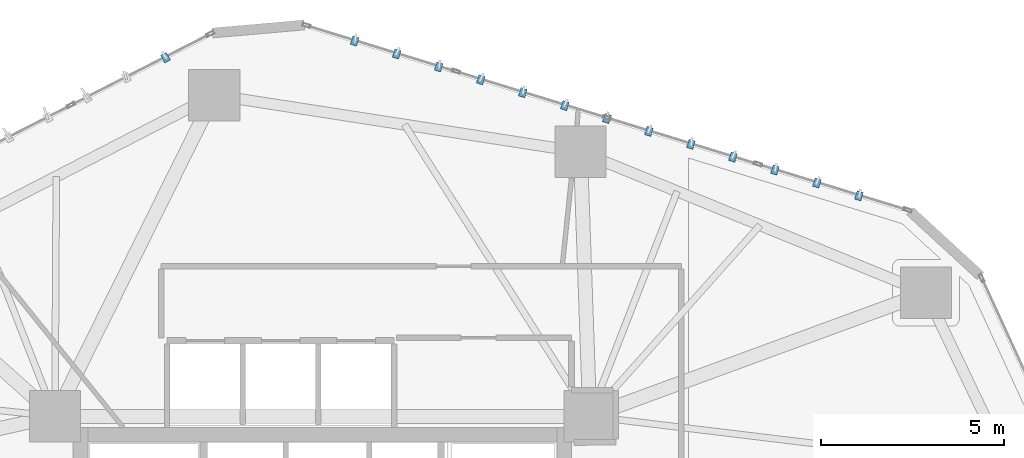
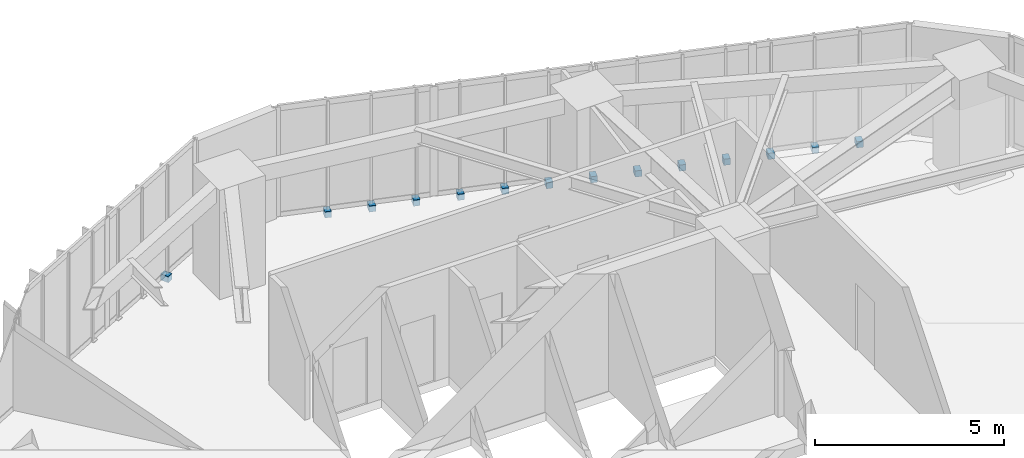
# One storey, part 21 of 24: 14 discrete accessories.
"""IFC4 building model written with IfcOpenShell, lengths in metres."""

from ifc_helpers import new_model, si_unit, direction, frame, origin, origin_2d, place, context, subcontext, project, spatial, rectangle, extrude, source, transform, mapped, material, type_object, type_shapes, element, save


model = new_model("IFC4")

# Units and contexts
model_context = context("Model", 3, precision=1e-05, world=origin(), true_north=direction((0.0, 1.0)))
body_context = subcontext(model_context, "Body", "Model", "MODEL_VIEW")
ifc_project = project(units=[si_unit("LENGTHUNIT", "METRE"), si_unit("AREAUNIT", "SQUARE_METRE"), si_unit("VOLUMEUNIT", "CUBIC_METRE"), si_unit("PLANEANGLEUNIT", "RADIAN"), si_unit("MASSUNIT", "GRAM", prefix="KILO")], contexts=[model_context])

# Site, building, storey
site_placement = place(None, origin())
site = spatial("IfcSite", under=ifc_project, at=site_placement, CompositionType="ELEMENT")
building_placement = place(site_placement, origin())
building = spatial("IfcBuilding", under=site, at=building_placement, Name="Talar Marvaseh", CompositionType="ELEMENT")
storey_placement = place(building_placement, frame((0.0, 0.0, 39.199951171875)))
storey = spatial("IfcBuildingStorey", under=building, at=storey_placement, Name="L09", CompositionType="ELEMENT", Elevation=39.199951171875)

# Discrete accessories
ifc_material = material(Name="Stainless Steel Grade 316", Category="steel")
discrete_accessory_type = type_object("IfcDiscreteAccessoryType", Name="Stainless Slab-Edge Fin Mounting Bracket", PredefinedType="BRACKET", material=ifc_material)
shared_shape = source(origin(), body_context, "Body", "SweptSolid", [
    extrude(rectangle(XDim=0.239990234375, YDim=0.179931640625, at=origin_2d()), origin(), (0.0, 0.0, 1.0), 0.199951171875),
])
type_shapes(discrete_accessory_type, [shared_shape])
for number, where, z_axis, x_axis, name in (
    (1, (21.718505859375, 46.69189453125, -0.1796875), (0.0, 0.0, 1.0), (-0.455078730475, 0.890451205327, 0.0), "L09 Vertical Fin Slab-Edge Bracket"),
    (2, (26.8837890625, 47.143798828125, -0.1796875), (0.0, 0.0, 1.0), (0.293539832896, 0.955946842928, 0.0), "L09 Vertical Fin Slab-Edge Bracket"),
    (3, (28.031005859375, 46.791748046875, -0.1796875), (0.0, 0.0, 1.0), (0.293539832896, 0.955946842928, 0.0), "L09 Vertical Fin Slab-Edge Bracket"),
    (4, (29.177978515625, 46.439453125, -0.1796875), (0.0, 0.0, 1.0), (0.293539832896, 0.955946842928, 0.0), "L09 Vertical Fin Slab-Edge Bracket"),
    (5, (30.3251953125, 46.08740234375, -0.1796875), (0.0, 0.0, 1.0), (0.293539832896, 0.955946842928, 0.0), "L09 Vertical Fin Slab-Edge Bracket"),
    (6, (31.472412109375, 45.735107421875, -0.1796875), (0.0, 0.0, 1.0), (0.293539832896, 0.955946842928, 0.0), "L09 Vertical Fin Slab-Edge Bracket"),
    (7, (32.619384765625, 45.3828125, -0.1796875), (0.0, 0.0, 1.0), (0.293539832896, 0.955946842928, 0.0), "L09 Vertical Fin Slab-Edge Bracket"),
    (8, (33.7666015625, 45.03076171875, -0.1796875), (0.0, 0.0, 1.0), (0.293539832896, 0.955946842928, 0.0), "L09 Vertical Fin Slab-Edge Bracket"),
    (9, (34.913818359375, 44.678466796875, -0.1796875), (0.0, 0.0, 1.0), (0.293539832896, 0.955946842928, 0.0), "L09 Vertical Fin Slab-Edge Bracket"),
    (10, (36.06103515625, 44.326416015625, -0.1796875), (0.0, 0.0, 1.0), (0.293539832896, 0.955946842928, 0.0), "L09 Vertical Fin Slab-Edge Bracket"),
    (11, (37.2080078125, 43.97412109375, -0.1796875), (0.0, 0.0, 1.0), (0.293539832896, 0.955946842928, 0.0), "L09 Vertical Fin Slab-Edge Bracket"),
    (12, (38.355224609375, 43.621826171875, -0.1796875), (0.0, 0.0, 1.0), (0.293539832896, 0.955946842928, 0.0), "L09 Vertical Fin Slab-Edge Bracket"),
    (13, (39.50244140625, 43.26953125, -0.1796875), (0.0, 0.0, 1.0), (0.293539832896, 0.955946842928, 0.0), "L09 Vertical Fin Slab-Edge Bracket"),
    (14, (40.649658203125, 42.91748046875, -0.1796875), (0.0, 0.0, 1.0), (0.293539832896, 0.955946842928, 0.0), "L09 Vertical Fin Slab-Edge Bracket"),
):
    element("IfcDiscreteAccessory", number, at=place(storey_placement, frame(where, z_axis=z_axis, x_axis=x_axis)), inside=storey, type_object=discrete_accessory_type, Name=name, PredefinedType="BRACKET", context=body_context, shape_type="MappedRepresentation", body=[
        mapped(shared_shape, transform((0.0, 0.0, 0.0), x_axis=(1.0, 0.0, 0.0), y_axis=(0.0, 1.0, 0.0), z_axis=(0.0, 0.0, 1.0), scale=1.0)),
    ])

save(model, "model.ifc")
